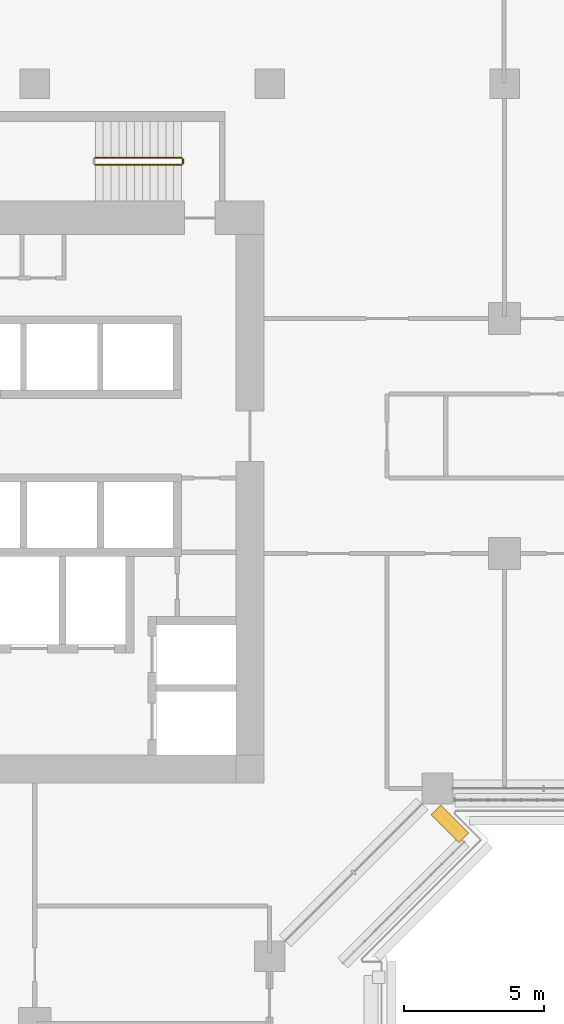
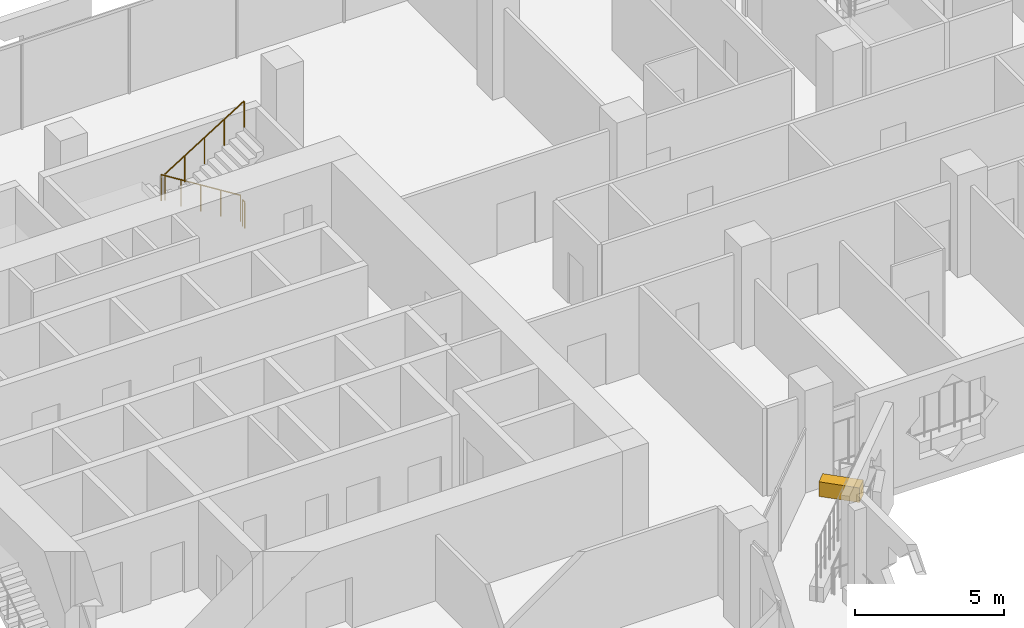
# One storey, part 23 of 27: 3 railings, 1 covering.
"""IFC4 building model written with IfcOpenShell, lengths in metres."""

from ifc_helpers import new_model, si_unit, direction, frame, origin, origin_2d, place, context, subcontext, project, spatial, rectangle, circle, extrude, material, material_profile, profile_set, type_object, element, save


model = new_model("IFC4")

# Units and contexts
model_context = context("Model", 3, precision=1e-05, world=origin(), true_north=direction((0.0, 1.0)))
body_context = subcontext(model_context, "Body", "Model", "MODEL_VIEW")
ifc_project = project(units=[si_unit("LENGTHUNIT", "METRE"), si_unit("AREAUNIT", "SQUARE_METRE"), si_unit("VOLUMEUNIT", "CUBIC_METRE"), si_unit("PLANEANGLEUNIT", "RADIAN"), si_unit("MASSUNIT", "GRAM", prefix="KILO")], contexts=[model_context])

# Site, building, storey
site_placement = place(None, origin())
site = spatial("IfcSite", under=ifc_project, at=site_placement, CompositionType="ELEMENT")
building_placement = place(site_placement, origin())
building = spatial("IfcBuilding", under=site, at=building_placement, Name="Kawkab Arch Medical Tower", CompositionType="ELEMENT")
storey_placement = place(building_placement, frame((0.0, 0.0, 115.60009765625)))
storey = spatial("IfcBuildingStorey", under=building, at=storey_placement, Name="L26", CompositionType="ELEMENT", Elevation=115.60009765625)

# Covering
ifc_material_1 = material(Name="Planting soil in a precast trough", Category="concrete")
ifc_material_profile = material_profile(ifc_material_1, rectangle(XDim=0.5, YDim=0.60009765625, at=origin_2d()), Name="Trough 500x600")
ifc_profile_set = profile_set([ifc_material_profile], Name="Planting soil in a precast trough")
covering_type = type_object("IfcCoveringType", Name="Planter trough 500 x 600", PredefinedType="USERDEFINED", material=ifc_profile_set)
covering_placement = place(storey_placement, frame((31.14306640625, -25.962890625, 0.2998046875), z_axis=(0.707020805532, -0.707192746389, 0.0), x_axis=(0.707192746389, 0.707020805532, 0.0)))
element("IfcCovering", 1, at=covering_placement, inside=storey, type_object=covering_type, Name="Planter L26.LOG-01-01.42", ObjectType="PLANTER", PredefinedType="USERDEFINED", context=body_context, shape_type="SweptSolid", body=[
    extrude(rectangle(XDim=0.5, YDim=0.60009765625, at=origin_2d()), origin(), (0.0, 0.0, 1.0), 1.419921875),
])

# Railings
ifc_material_2 = material(Name="Stainless steel", Category="steel")
railing_type = type_object("IfcRailingType", Name="Stair guard 1100", PredefinedType="GUARDRAIL", material=ifc_material_2)
railing_1_placement = place(storey_placement, frame((22.050048828125, -2.64990234375, 0.1748046875)))
element("IfcRailing", 2, at=railing_1_placement, inside=storey, type_object=railing_type, Name="L26 ST4 stair guard 1", PredefinedType="GUARDRAIL", context=body_context, shape_type="SweptSolid", body=[
    extrude(circle(Radius=0.02392578125, at=origin_2d()), frame((0.0, 0.0, 1.076171875), z_axis=(-0.847998304005, 0.0, 0.529998940003), x_axis=(0.0, -1.0, 0.0)), (0.0, 0.0, 1.0), 3.632080078125),
    extrude(circle(Radius=0.02099609375, at=origin_2d()), origin(), (0.0, 0.0, 1.0), 1.052001953125),
    extrude(circle(Radius=0.02099609375, at=origin_2d()), frame((-0.77001953125, 0.0, 0.481201171875)), (0.0, 0.0, 1.0), 1.052001953125),
    extrude(circle(Radius=0.02099609375, at=origin_2d()), frame((-1.5400390625, 0.0, 0.96240234375)), (0.0, 0.0, 1.0), 1.052001953125),
    extrude(circle(Radius=0.02099609375, at=origin_2d()), frame((-2.31005859375, 0.0, 1.44384765625)), (0.0, 0.0, 1.0), 1.052001953125),
    extrude(circle(Radius=0.02099609375, at=origin_2d()), frame((-3.080078125, 0.0, 1.925048828125)), (0.0, 0.0, 1.0), 1.052001953125),
])
railing_2_placement = place(storey_placement, frame((18.969970703125, -2.89990234375, 2.27490234375)))
element("IfcRailing", 3, at=railing_2_placement, inside=storey, type_object=railing_type, Name="L26 ST4 stair guard 3", PredefinedType="GUARDRAIL", context=body_context, shape_type="SweptSolid", body=[
    extrude(circle(Radius=0.02392578125, at=origin_2d()), frame((0.0, 0.0, 1.076171875), z_axis=(0.847998304005, 0.0, 0.529998940003), x_axis=(0.0, 1.0, 0.0)), (0.0, 0.0, 1.0), 3.632080078125),
    extrude(circle(Radius=0.02099609375, at=origin_2d()), origin(), (0.0, 0.0, 1.0), 1.052001953125),
    extrude(circle(Radius=0.02099609375, at=origin_2d()), frame((0.77001953125, 0.0, 0.481201171875)), (0.0, 0.0, 1.0), 1.052001953125),
    extrude(circle(Radius=0.02099609375, at=origin_2d()), frame((1.5400390625, 0.0, 0.96240234375)), (0.0, 0.0, 1.0), 1.052001953125),
    extrude(circle(Radius=0.02099609375, at=origin_2d()), frame((2.31005859375, 0.0, 1.44384765625)), (0.0, 0.0, 1.0), 1.052001953125),
    extrude(circle(Radius=0.02099609375, at=origin_2d()), frame((3.080078125, 0.0, 1.925048828125)), (0.0, 0.0, 1.0), 1.052001953125),
])
railing_3_placement = place(storey_placement, frame((22.10009765625, -2.699951171875, 0.0)))
element("IfcRailing", 4, at=railing_3_placement, inside=storey, type_object=railing_type, Name="L26 ST4 stair guard 4", PredefinedType="GUARDRAIL", context=body_context, shape_type="SweptSolid", body=[
    extrude(circle(Radius=0.02392578125, at=origin_2d()), frame((0.0, 0.0, 1.076171875), z_axis=(0.0, -1.0, 0.0), x_axis=(1.0, 0.0, 0.0)), (0.0, 0.0, 1.0), 0.150146484375),
    extrude(circle(Radius=0.02099609375, at=origin_2d()), origin(), (0.0, 0.0, 1.0), 1.052001953125),
    extrude(circle(Radius=0.02099609375, at=origin_2d()), frame((0.0, -0.150146484375, 0.0)), (0.0, 0.0, 1.0), 1.052001953125),
])

save(model, "model.ifc")
